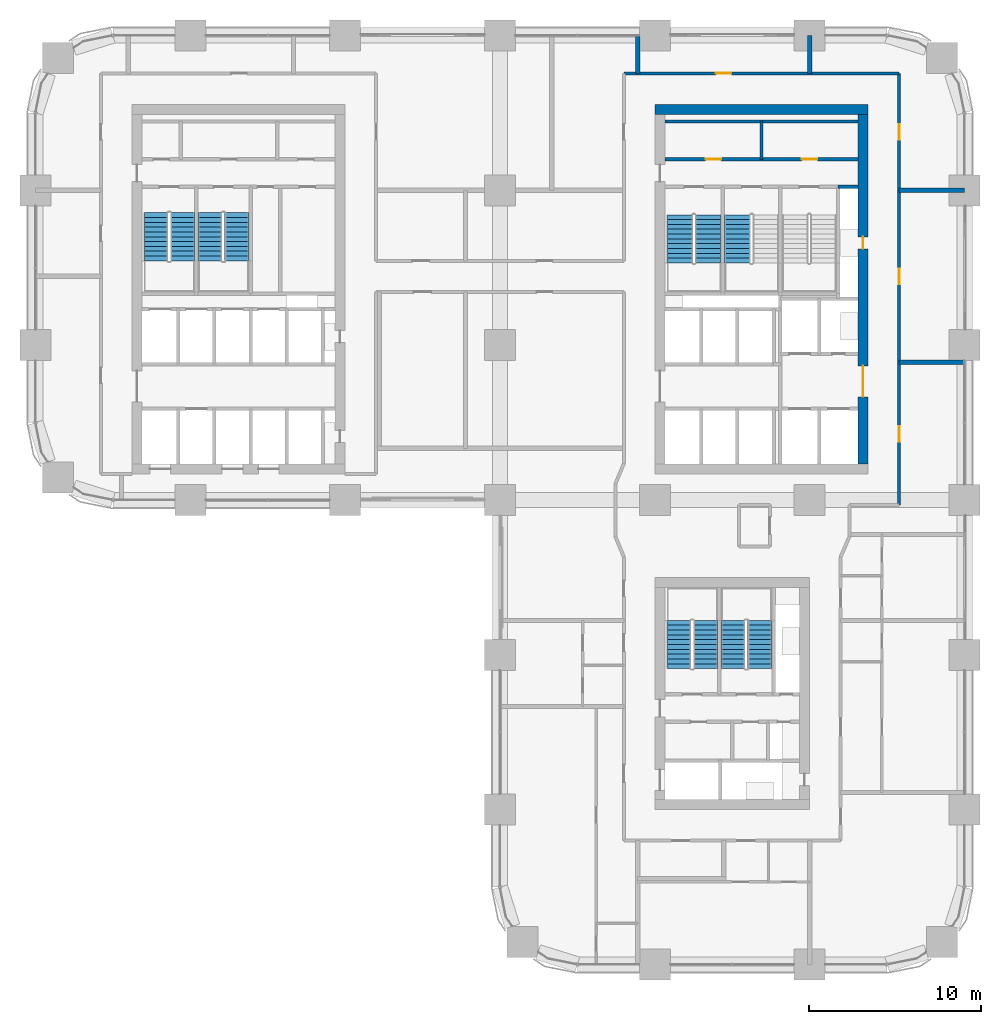
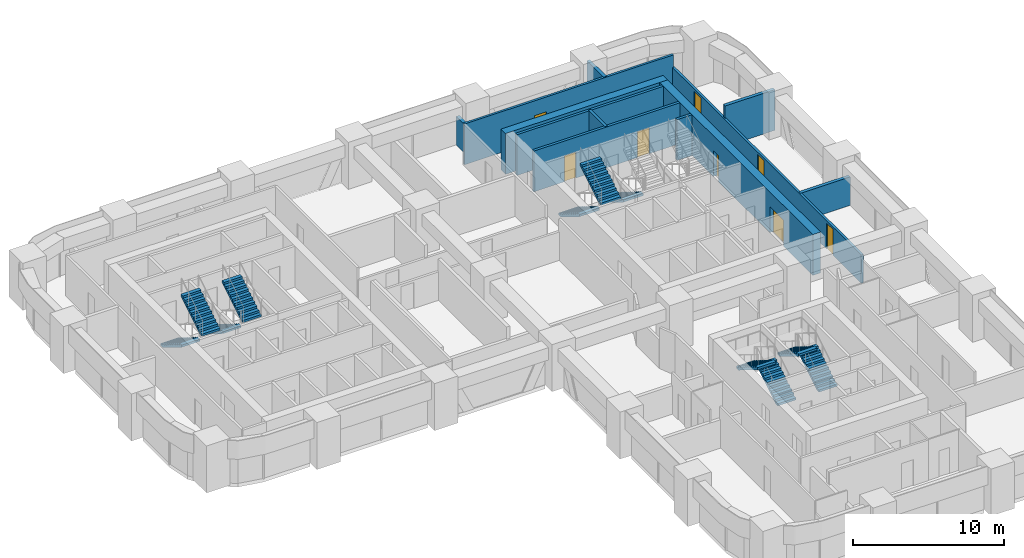
# One storey, part 17 of 20: 12 walls, 11 stair flights, 8 doors, 8 openings, 6 elements without a shape of their own.
"""IFC4 building model written with IfcOpenShell, lengths in metres."""

from ifc_helpers import new_model, si_unit, direction, frame, frame_2d, origin, place, context, subcontext, project, spatial, polyline, rectangle, outline, extrude, material, layer, layer_set, type_object, element, fill, aggregate, save


model = new_model("IFC4")

# Units and contexts
model_context = context("Model", 3, precision=1e-05, world=origin(), true_north=direction((0.0, 1.0)))
body_context = subcontext(model_context, "Body", "Model", "MODEL_VIEW")
ifc_project = project(units=[si_unit("LENGTHUNIT", "METRE"), si_unit("AREAUNIT", "SQUARE_METRE"), si_unit("VOLUMEUNIT", "CUBIC_METRE"), si_unit("PLANEANGLEUNIT", "RADIAN"), si_unit("MASSUNIT", "GRAM", prefix="KILO")], contexts=[model_context])

# Site, building, storey
site_placement = place(None, origin())
site = spatial("IfcSite", under=ifc_project, at=site_placement, CompositionType="ELEMENT")
building_placement = place(site_placement, origin())
building = spatial("IfcBuilding", under=site, at=building_placement, Name="Tessera Arch", CompositionType="ELEMENT")
storey_placement = place(building_placement, frame((0.0, 0.0, 119.60009765625)))
storey = spatial("IfcBuildingStorey", under=building, at=storey_placement, Name="L28", CompositionType="ELEMENT", Elevation=119.60009765625)

# Wall
ifc_material_1 = material(Name="Gypsum board on steel stud", Category="steel")
ifc_layer_1 = layer(ifc_material_1, 0.125)
ifc_layer_set_1 = layer_set([ifc_layer_1], Name="Core partition 125 EI 60")
wall_type_1 = type_object("IfcWallType", Name="Core partition 125 EI 60", PredefinedType="PARTITIONING", material=ifc_layer_set_1)
wall_1_placement = place(storey_placement, frame((42.199951171875, 46.800048828125, 0.0), z_axis=(0.0, 0.0, 1.0), x_axis=(0.0, 1.0, 0.0)))
element("IfcWall", 1, at=wall_1_placement, inside=storey, type_object=wall_type_1, Name="L28 C1 partition wall 7", PredefinedType="PARTITIONING", context=body_context, shape_type="SweptSolid", body=[
    extrude(rectangle(XDim=2.199951171875, YDim=0.199951171875, at=frame_2d((1.10009765625, 0.0))), origin(), (0.0, 0.0, 1.0), 3.2998046875),
])

# Wall, openings, doors
wall_2_placement = place(storey_placement, frame((36.60009765625, 46.800048828125, 0.0), z_axis=(0.0, 0.0, 1.0), x_axis=(1.0, 0.0, 0.0)))
wall_2 = element("IfcWall", 2, at=wall_2_placement, inside=storey, type_object=wall_type_1, Name="L28 C1 partition wall 31", PredefinedType="PARTITIONING", context=body_context, shape_type="SweptSolid", body=[
    extrude(rectangle(XDim=11.199951171875, YDim=0.199951171875, at=frame_2d((5.60009765625, 0.0))), origin(), (0.0, 0.0, 1.0), 3.2998046875),
])
opening_1_placement = place(wall_2_placement, frame((2.35009765625, 0.0, 0.0)))
opening_1 = element("IfcOpeningElement", 3, at=opening_1_placement, cuts=wall_2, Name="Opening L28-C12", PredefinedType="OPENING", context=body_context, shape_type="SweptSolid", body=[
    extrude(rectangle(XDim=0.89990234375, YDim=2.10009765625, at=frame_2d((0.449951171875, 1.050048828125))), frame((0.0, 0.10986328125, 0.0), z_axis=(0.0, -1.0, 0.0), x_axis=(1.0, 0.0, 0.0)), (0.0, 0.0, 1.0), 0.219970703125),
])
opening_2_placement = place(wall_2_placement, frame((7.949951171875, 0.0, 0.0)))
opening_2 = element("IfcOpeningElement", 4, at=opening_2_placement, cuts=wall_2, Name="Opening L28-C13", PredefinedType="OPENING", context=body_context, shape_type="SweptSolid", body=[
    extrude(rectangle(XDim=0.89990234375, YDim=2.10009765625, at=frame_2d((0.449951171875, 1.050048828125))), frame((0.0, 0.10986328125, 0.0), z_axis=(0.0, -1.0, 0.0), x_axis=(1.0, 0.0, 0.0)), (0.0, 0.0, 1.0), 0.219970703125),
])
ifc_material_2 = material(Name="Steel door leaf", Category="steel")
door_type_1 = type_object("IfcDoorType", Name="Store door FD30S 900 x 2100", OperationType="SINGLE_SWING_LEFT", PredefinedType="DOOR", material=ifc_material_2)
door_1_placement = place(opening_1_placement, origin())
door_1 = element("IfcDoor", 5, at=door_1_placement, inside=storey, type_object=door_type_1, Name="L28 C1 door 12 C12 type D09", OperationType="SINGLE_SWING_LEFT", OverallHeight=2.10009765625, OverallWidth=0.89990234375, PredefinedType="DOOR", context=body_context, shape_type="SweptSolid", body=[
    extrude(rectangle(XDim=0.89990234375, YDim=2.10009765625, at=frame_2d((0.449951171875, 1.050048828125))), frame((0.0, 0.02490234375, 0.0), z_axis=(0.0, -1.0, 0.0), x_axis=(1.0, 0.0, 0.0)), (0.0, 0.0, 1.0), 0.050048828125),
])
fill(opening_1, door_1)
door_2_placement = place(opening_2_placement, origin())
door_2 = element("IfcDoor", 6, at=door_2_placement, inside=storey, type_object=door_type_1, Name="L28 C1 door 13 C13 type D09", OperationType="SINGLE_SWING_RIGHT", OverallHeight=2.10009765625, OverallWidth=0.89990234375, PredefinedType="DOOR", context=body_context, shape_type="SweptSolid", body=[
    extrude(rectangle(XDim=0.89990234375, YDim=2.10009765625, at=frame_2d((0.449951171875, 1.050048828125))), frame((0.0, 0.02490234375, 0.0), z_axis=(0.0, -1.0, 0.0), x_axis=(1.0, 0.0, 0.0)), (0.0, 0.0, 1.0), 0.050048828125),
])
fill(opening_2, door_2)

# Walls
wall_3_placement = place(storey_placement, frame((36.60009765625, 49.0, 0.0), z_axis=(0.0, 0.0, 1.0), x_axis=(1.0, 0.0, 0.0)))
element("IfcWall", 7, at=wall_3_placement, inside=storey, type_object=wall_type_1, Name="L28 C1 partition wall 32", PredefinedType="PARTITIONING", context=body_context, shape_type="SweptSolid", body=[
    extrude(rectangle(XDim=11.199951171875, YDim=0.199951171875, at=frame_2d((5.60009765625, 0.0))), origin(), (0.0, 0.0, 1.0), 3.2998046875),
])
ifc_material_3 = material(Name="Concrete C70/85", Category="concrete")
ifc_layer_2 = layer(ifc_material_3, 0.60009765625)
ifc_layer_set_2 = layer_set([ifc_layer_2], Name="Core shell wall 600 C70-85")
wall_type_2 = type_object("IfcWallType", Name="Core shell wall 600 C70-85", PredefinedType="SHEAR", material=ifc_layer_set_2)
wall_4_placement = place(storey_placement, frame((36.0, 49.699951171875, 0.0), z_axis=(0.0, 0.0, 1.0), x_axis=(1.0, 0.0, 0.0)))
element("IfcWall", 8, at=wall_4_placement, inside=storey, type_object=wall_type_2, Name="L28 C1 core wall N", PredefinedType="SHEAR", context=body_context, shape_type="SweptSolid", body=[
    extrude(rectangle(XDim=12.39990234375, YDim=0.60009765625, at=frame_2d((6.199951171875, 0.0))), origin(), (0.0, 0.0, 1.0), 3.2998046875),
])

# Wall, openings, doors
wall_5_placement = place(storey_placement, frame((48.10009765625, 29.10009765625, 0.0), z_axis=(0.0, 0.0, 1.0), x_axis=(0.0, 1.0, 0.0)))
wall_5 = element("IfcWall", 9, at=wall_5_placement, inside=storey, type_object=wall_type_2, Name="L28 C1 core wall E", PredefinedType="SHEAR", context=body_context, shape_type="SweptSolid", body=[
    extrude(rectangle(XDim=20.2998046875, YDim=0.60009765625, at=frame_2d((10.14990234375, 0.0))), origin(), (0.0, 0.0, 1.0), 3.2998046875),
])
opening_3_placement = place(wall_5_placement, frame((12.5, 0.0, 0.0)))
opening_3 = element("IfcOpeningElement", 10, at=opening_3_placement, cuts=wall_5, Name="Opening L28-C08", PredefinedType="OPENING", context=body_context, shape_type="SweptSolid", body=[
    extrude(rectangle(XDim=0.699951171875, YDim=2.10009765625, at=frame_2d((0.35009765625, 1.050048828125))), frame((0.0, 0.31005859375, 0.0), z_axis=(0.0, -1.0, 0.0), x_axis=(1.0, 0.0, 0.0)), (0.0, 0.0, 1.0), 0.6201171875),
])
opening_4_placement = place(wall_5_placement, frame((3.89990234375, 0.0, 0.0)))
opening_4 = element("IfcOpeningElement", 11, at=opening_4_placement, cuts=wall_5, Name="Opening L28-C09", PredefinedType="OPENING", context=body_context, shape_type="SweptSolid", body=[
    extrude(rectangle(XDim=1.800048828125, YDim=2.10009765625, at=frame_2d((0.89990234375, 1.050048828125))), frame((0.0, 0.31005859375, 0.0), z_axis=(0.0, -1.0, 0.0), x_axis=(1.0, 0.0, 0.0)), (0.0, 0.0, 1.0), 0.6201171875),
])
ifc_material_4 = material(Name="Glazed steel door leaf", Category="steel")
door_type_2 = type_object("IfcDoorType", Name="Lobby double door FD60 1800 x 2100", OperationType="DOUBLE_DOOR_SINGLE_SWING", PredefinedType="DOOR", material=ifc_material_4)
door_3_placement = place(opening_4_placement, origin())
door_3 = element("IfcDoor", 12, at=door_3_placement, inside=storey, type_object=door_type_2, Name="L28 C1 door 9 C09 type D19", OperationType="DOUBLE_DOOR_SINGLE_SWING", OverallHeight=2.10009765625, OverallWidth=1.800048828125, PredefinedType="DOOR", context=body_context, shape_type="SweptSolid", body=[
    extrude(rectangle(XDim=1.800048828125, YDim=2.10009765625, at=frame_2d((0.89990234375, 1.050048828125))), frame((0.0, 0.02490234375, 0.0), z_axis=(0.0, -1.0, 0.0), x_axis=(1.0, 0.0, 0.0)), (0.0, 0.0, 1.0), 0.050048828125),
])
fill(opening_4, door_3)
ifc_material_5 = material(Name="Steel door leaf", Category="steel")
door_type_3 = type_object("IfcDoorType", Name="Service shaft door FD60 700 x 2100", OperationType="SINGLE_SWING_LEFT", PredefinedType="DOOR", material=ifc_material_5)
door_4_placement = place(opening_3_placement, origin())
door_4 = element("IfcDoor", 13, at=door_4_placement, inside=storey, type_object=door_type_3, Name="L28 C1 door 8 C08 type D07", OperationType="SINGLE_SWING_RIGHT", OverallHeight=2.10009765625, OverallWidth=0.699951171875, PredefinedType="DOOR", context=body_context, shape_type="SweptSolid", body=[
    extrude(rectangle(XDim=0.699951171875, YDim=2.10009765625, at=frame_2d((0.35009765625, 1.050048828125))), frame((0.0, 0.02490234375, 0.0), z_axis=(0.0, -1.0, 0.0), x_axis=(1.0, 0.0, 0.0)), (0.0, 0.0, 1.0), 0.050048828125),
])
fill(opening_3, door_4)

# Wall, opening, door
ifc_material_6 = material(Name="Gypsum board on deep steel stud with mineral wool", Category="steel")
ifc_layer_3 = layer(ifc_material_6, 0.175048828125)
ifc_layer_set_3 = layer_set([ifc_layer_3], Name="Corridor wall 175 EI 60")
wall_type_3 = type_object("IfcWallType", Name="Corridor wall 175 EI 60", PredefinedType="PARTITIONING", material=ifc_layer_set_3)
wall_6_placement = place(storey_placement, frame((34.199951171875, 51.800048828125, 0.0), z_axis=(0.0, 0.0, 1.0), x_axis=(1.0, 0.0, 0.0)))
wall_6 = element("IfcWall", 14, at=wall_6_placement, inside=storey, type_object=wall_type_3, Name="L28 partition 10", PredefinedType="PARTITIONING", context=body_context, shape_type="SweptSolid", body=[
    extrude(rectangle(XDim=16.0, YDim=0.175048828125, at=frame_2d((8.0, 0.0))), origin(), (0.0, 0.0, 1.0), 3.2998046875),
])
opening_5_placement = place(wall_6_placement, frame((5.35009765625, 0.0, 0.0)))
opening_5 = element("IfcOpeningElement", 15, at=opening_5_placement, cuts=wall_6, Name="Opening L28-D033", PredefinedType="OPENING", context=body_context, shape_type="SweptSolid", body=[
    extrude(rectangle(XDim=0.89990234375, YDim=2.10009765625, at=frame_2d((0.449951171875, 1.050048828125))), frame((0.0, 0.097412109375, 0.0), z_axis=(0.0, -1.0, 0.0), x_axis=(1.0, 0.0, 0.0)), (0.0, 0.0, 1.0), 0.195068359375),
])
ifc_material_7 = material(Name="Timber door leaf", Category="wood")
door_type_4 = type_object("IfcDoorType", Name="Room door 900 x 2100", OperationType="SINGLE_SWING_LEFT", PredefinedType="DOOR", material=ifc_material_7)
door_5_placement = place(opening_5_placement, origin())
door_5 = element("IfcDoor", 16, at=door_5_placement, inside=storey, type_object=door_type_4, Name="L28 door D033 type D01", OperationType="SINGLE_SWING_RIGHT", OverallHeight=2.10009765625, OverallWidth=0.89990234375, PredefinedType="DOOR", context=body_context, shape_type="SweptSolid", body=[
    extrude(rectangle(XDim=0.89990234375, YDim=2.10009765625, at=frame_2d((0.449951171875, 1.050048828125))), frame((0.0, 0.02490234375, 0.0), z_axis=(0.0, -1.0, 0.0), x_axis=(1.0, 0.0, 0.0)), (0.0, 0.0, 1.0), 0.050048828125),
])
fill(opening_5, door_5)

# Wall, openings, doors
wall_7_placement = place(storey_placement, frame((50.199951171875, 26.699951171875, 0.0), z_axis=(0.0, 0.0, 1.0), x_axis=(0.0, 1.0, 0.0)))
wall_7 = element("IfcWall", 17, at=wall_7_placement, inside=storey, type_object=wall_type_3, Name="L28 partition 22", PredefinedType="PARTITIONING", context=body_context, shape_type="SweptSolid", body=[
    extrude(rectangle(XDim=25.10009765625, YDim=0.175048828125, at=frame_2d((12.550048828125, 0.0))), origin(), (0.0, 0.0, 1.0), 2.2998046875),
])
opening_6_placement = place(wall_7_placement, frame((3.699951171875, 0.0, 0.0)))
opening_6 = element("IfcOpeningElement", 18, at=opening_6_placement, cuts=wall_7, Name="Opening L28-D020", PredefinedType="OPENING", context=body_context, shape_type="SweptSolid", body=[
    extrude(rectangle(XDim=0.89990234375, YDim=2.10009765625, at=frame_2d((0.449951171875, 1.050048828125))), frame((0.0, 0.097412109375, 0.0), z_axis=(0.0, -1.0, 0.0), x_axis=(1.0, 0.0, 0.0)), (0.0, 0.0, 1.0), 0.195068359375),
])
opening_7_placement = place(wall_7_placement, frame((12.85009765625, 0.0, 0.0)))
opening_7 = element("IfcOpeningElement", 19, at=opening_7_placement, cuts=wall_7, Name="Opening L28-D024", PredefinedType="OPENING", context=body_context, shape_type="SweptSolid", body=[
    extrude(rectangle(XDim=0.89990234375, YDim=2.10009765625, at=frame_2d((0.449951171875, 1.050048828125))), frame((0.0, 0.097412109375, 0.0), z_axis=(0.0, -1.0, 0.0), x_axis=(1.0, 0.0, 0.0)), (0.0, 0.0, 1.0), 0.195068359375),
])
opening_8_placement = place(wall_7_placement, frame((21.25, 0.0, 0.0)))
opening_8 = element("IfcOpeningElement", 20, at=opening_8_placement, cuts=wall_7, Name="Opening L28-D031", PredefinedType="OPENING", context=body_context, shape_type="SweptSolid", body=[
    extrude(rectangle(XDim=0.89990234375, YDim=2.10009765625, at=frame_2d((0.449951171875, 1.050048828125))), frame((0.0, 0.097412109375, 0.0), z_axis=(0.0, -1.0, 0.0), x_axis=(1.0, 0.0, 0.0)), (0.0, 0.0, 1.0), 0.195068359375),
])
door_6_placement = place(opening_6_placement, origin())
door_6 = element("IfcDoor", 21, at=door_6_placement, inside=storey, type_object=door_type_4, Name="L28 door D020 type D01", OperationType="SINGLE_SWING_RIGHT", OverallHeight=2.10009765625, OverallWidth=0.89990234375, PredefinedType="DOOR", context=body_context, shape_type="SweptSolid", body=[
    extrude(rectangle(XDim=0.89990234375, YDim=2.10009765625, at=frame_2d((0.449951171875, 1.050048828125))), frame((0.0, 0.02490234375, 0.0), z_axis=(0.0, -1.0, 0.0), x_axis=(1.0, 0.0, 0.0)), (0.0, 0.0, 1.0), 0.050048828125),
])
fill(opening_6, door_6)
door_7_placement = place(opening_7_placement, origin())
door_7 = element("IfcDoor", 22, at=door_7_placement, inside=storey, type_object=door_type_4, Name="L28 door D024 type D01", OperationType="SINGLE_SWING_RIGHT", OverallHeight=2.10009765625, OverallWidth=0.89990234375, PredefinedType="DOOR", context=body_context, shape_type="SweptSolid", body=[
    extrude(rectangle(XDim=0.89990234375, YDim=2.10009765625, at=frame_2d((0.449951171875, 1.050048828125))), frame((0.0, 0.02490234375, 0.0), z_axis=(0.0, -1.0, 0.0), x_axis=(1.0, 0.0, 0.0)), (0.0, 0.0, 1.0), 0.050048828125),
])
fill(opening_7, door_7)
door_8_placement = place(opening_8_placement, origin())
door_8 = element("IfcDoor", 23, at=door_8_placement, inside=storey, type_object=door_type_4, Name="L28 door D031 type D01", OperationType="SINGLE_SWING_LEFT", OverallHeight=2.10009765625, OverallWidth=0.89990234375, PredefinedType="DOOR", context=body_context, shape_type="SweptSolid", body=[
    extrude(rectangle(XDim=0.89990234375, YDim=2.10009765625, at=frame_2d((0.449951171875, 1.050048828125))), frame((0.0, 0.02490234375, 0.0), z_axis=(0.0, -1.0, 0.0), x_axis=(1.0, 0.0, 0.0)), (0.0, 0.0, 1.0), 0.050048828125),
])
fill(opening_8, door_8)

# Walls
ifc_material_8 = material(Name="Double gypsum board on twin steel stud with acoustic mineral wool", Category="steel")
ifc_layer_4 = layer(ifc_material_8, 0.25)
ifc_layer_set_4 = layer_set([ifc_layer_4], Name="Party wall 250 EI 60")
wall_type_4 = type_object("IfcWallType", Name="Party wall 250 EI 60", PredefinedType="PARTITIONING", material=ifc_layer_set_4)
wall_8_placement = place(storey_placement, frame((50.199951171875, 35.0, 0.0), z_axis=(0.0, 0.0, 1.0), x_axis=(1.0, 0.0, 0.0)))
element("IfcWall", 24, at=wall_8_placement, inside=storey, type_object=wall_type_4, Name="L28 partition 35", PredefinedType="PARTITIONING", context=body_context, shape_type="SweptSolid", body=[
    extrude(rectangle(XDim=3.800048828125, YDim=0.25, at=frame_2d((1.89990234375, 0.0))), origin(), (0.0, 0.0, 1.0), 2.2998046875),
])
wall_9_placement = place(storey_placement, frame((50.199951171875, 45.0, 0.0), z_axis=(0.0, 0.0, 1.0), x_axis=(1.0, 0.0, 0.0)))
element("IfcWall", 25, at=wall_9_placement, inside=storey, type_object=wall_type_4, Name="L28 partition 39", PredefinedType="PARTITIONING", context=body_context, shape_type="SweptSolid", body=[
    extrude(rectangle(XDim=3.800048828125, YDim=0.25, at=frame_2d((1.89990234375, 0.0))), origin(), (0.0, 0.0, 1.0), 3.2998046875),
])
wall_10_placement = place(storey_placement, frame((35.0, 51.800048828125, 0.0), z_axis=(0.0, 0.0, 1.0), x_axis=(0.0, 1.0, 0.0)))
element("IfcWall", 26, at=wall_10_placement, inside=storey, type_object=wall_type_4, Name="L28 partition 48", PredefinedType="PARTITIONING", context=body_context, shape_type="SweptSolid", body=[
    extrude(rectangle(XDim=2.199951171875, YDim=0.25, at=frame_2d((1.10009765625, 0.0))), origin(), (0.0, 0.0, 1.0), 2.2998046875),
])
wall_11_placement = place(storey_placement, frame((45.0, 51.800048828125, 0.0), z_axis=(0.0, 0.0, 1.0), x_axis=(0.0, 1.0, 0.0)))
element("IfcWall", 27, at=wall_11_placement, inside=storey, type_object=wall_type_4, Name="L28 partition 51", PredefinedType="PARTITIONING", context=body_context, shape_type="SweptSolid", body=[
    extrude(rectangle(XDim=2.199951171875, YDim=0.25, at=frame_2d((1.10009765625, 0.0))), origin(), (0.0, 0.0, 1.0), 3.2998046875),
])
ifc_material_9 = material(Name="Concrete C40/50", Category="concrete")
ifc_layer_5 = layer(ifc_material_9, 0.199951171875)
ifc_layer_set_5 = layer_set([ifc_layer_5], Name="Shaft wall 200 EI 120")
wall_type_5 = type_object("IfcWallType", Name="Shaft wall 200 EI 120", PredefinedType="SOLIDWALL", material=ifc_layer_set_5)
wall_12_placement = place(storey_placement, frame((46.64990234375, 45.199951171875, 0.0), z_axis=(0.0, 0.0, 1.0), x_axis=(1.0, 0.0, 0.0)))
element("IfcWall", 28, at=wall_12_placement, inside=storey, type_object=wall_type_5, Name="L28 C1 shaft wall 29", PredefinedType="SOLIDWALL", context=body_context, shape_type="SweptSolid", body=[
    extrude(rectangle(XDim=1.150146484375, YDim=0.199951171875, at=frame_2d((0.5751953125, 0.0))), origin(), (0.0, 0.0, 1.0), 3.2998046875),
])

# Stair, stair flights
ifc_material_10 = material(Name="Concrete C40/50", Category="concrete")
stair_type_1 = type_object("IfcStairType", Name="Dogleg stair 1400", PredefinedType="HALF_TURN_STAIR", material=ifc_material_10)
stair_1_placement = place(storey_placement, origin())
stair_1 = element("IfcStair", 29, at=stair_1_placement, inside=storey, type_object=stair_type_1, Name="L28 S2a", PredefinedType="HALF_TURN_STAIR")
ifc_material_11 = material(Name="Concrete C40/50", Category="concrete")
stair_flight_type_1 = type_object("IfcStairFlightType", Name="Stair flight 1400", PredefinedType="STRAIGHT", material=ifc_material_11)
stair_flight_1_placement = place(storey_placement, frame((7.0, 43.699951171875, 0.0), z_axis=(0.0, 0.0, 1.0), x_axis=(0.0, -1.0, 0.0)))
stair_flight_1 = element("IfcStairFlight", 30, at=stair_flight_1_placement, type_object=stair_flight_type_1, Name="S2a flight 1", NumberOfRisers=11, NumberOfTreads=10, PredefinedType="STRAIGHT", RiserHeight=0.172727273, TreadLength=0.28, context=body_context, shape_type="SweptSolid", body=[
    extrude(outline(polyline([(0.0, 0.0), (0.0, 0.172607421875), (0.280029296875, 0.172607421875), (0.280029296875, 0.345458984375), (0.56005859375, 0.345458984375), (0.56005859375, 0.51806640625), (0.840087890625, 0.51806640625), (0.840087890625, 0.69091796875), (1.1201171875, 0.69091796875), (1.1201171875, 0.863525390625), (1.39990234375, 0.863525390625), (1.39990234375, 1.036376953125), (1.679931640625, 1.036376953125), (1.679931640625, 1.208984375), (1.9599609375, 1.208984375), (1.9599609375, 1.3818359375), (2.239990234375, 1.3818359375), (2.239990234375, 1.554443359375), (2.52001953125, 1.554443359375), (2.52001953125, 1.727294921875), (2.800048828125, 1.727294921875), (2.800048828125, 1.89990234375), (2.800048828125, 1.551025390625), (0.285400390625, 0.0), (0.0, 0.0)])), frame((0.0, 0.699951171875, 0.0), z_axis=(0.0, -1.0, 0.0), x_axis=(1.0, 0.0, 0.0)), (0.0, 0.0, 1.0), 1.39990234375),
])
stair_flight_2_placement = place(storey_placement, frame((8.550048828125, 40.89990234375, 1.89990234375), z_axis=(0.0, 0.0, 1.0), x_axis=(0.0, 1.0, 0.0)))
stair_flight_2 = element("IfcStairFlight", 31, at=stair_flight_2_placement, type_object=stair_flight_type_1, Name="S2a flight 2", NumberOfRisers=11, NumberOfTreads=10, PredefinedType="STRAIGHT", RiserHeight=0.172727273, TreadLength=0.28, context=body_context, shape_type="SweptSolid", body=[
    extrude(outline(polyline([(0.0, 0.0), (0.0, 0.172607421875), (0.280029296875, 0.172607421875), (0.280029296875, 0.345458984375), (0.56005859375, 0.345458984375), (0.56005859375, 0.51806640625), (0.840087890625, 0.51806640625), (0.840087890625, 0.69091796875), (1.1201171875, 0.69091796875), (1.1201171875, 0.863525390625), (1.39990234375, 0.863525390625), (1.39990234375, 1.036376953125), (1.679931640625, 1.036376953125), (1.679931640625, 1.208984375), (1.9599609375, 1.208984375), (1.9599609375, 1.3818359375), (2.239990234375, 1.3818359375), (2.239990234375, 1.554443359375), (2.52001953125, 1.554443359375), (2.52001953125, 1.727294921875), (2.800048828125, 1.727294921875), (2.800048828125, 1.89990234375), (2.800048828125, 1.551025390625), (0.285400390625, 0.0), (0.0, 0.0)])), frame((0.0, 0.699951171875, 0.0), z_axis=(0.0, -1.0, 0.0), x_axis=(1.0, 0.0, 0.0)), (0.0, 0.0, 1.0), 1.39990234375),
])
aggregate(stair_1, [stair_flight_1, stair_flight_2])

stair_2_placement = place(storey_placement, origin())
stair_2 = element("IfcStair", 32, at=stair_2_placement, inside=storey, type_object=stair_type_1, Name="L28 S2b", PredefinedType="HALF_TURN_STAIR")
stair_flight_3_placement = place(storey_placement, frame((10.14990234375, 43.699951171875, 0.0), z_axis=(0.0, 0.0, 1.0), x_axis=(0.0, -1.0, 0.0)))
stair_flight_3 = element("IfcStairFlight", 33, at=stair_flight_3_placement, type_object=stair_flight_type_1, Name="S2b flight 1", NumberOfRisers=11, NumberOfTreads=10, PredefinedType="STRAIGHT", RiserHeight=0.172727273, TreadLength=0.28, context=body_context, shape_type="SweptSolid", body=[
    extrude(outline(polyline([(0.0, 0.0), (0.0, 0.172607421875), (0.280029296875, 0.172607421875), (0.280029296875, 0.345458984375), (0.56005859375, 0.345458984375), (0.56005859375, 0.51806640625), (0.840087890625, 0.51806640625), (0.840087890625, 0.69091796875), (1.1201171875, 0.69091796875), (1.1201171875, 0.863525390625), (1.39990234375, 0.863525390625), (1.39990234375, 1.036376953125), (1.679931640625, 1.036376953125), (1.679931640625, 1.208984375), (1.9599609375, 1.208984375), (1.9599609375, 1.3818359375), (2.239990234375, 1.3818359375), (2.239990234375, 1.554443359375), (2.52001953125, 1.554443359375), (2.52001953125, 1.727294921875), (2.800048828125, 1.727294921875), (2.800048828125, 1.89990234375), (2.800048828125, 1.551025390625), (0.285400390625, 0.0), (0.0, 0.0)])), frame((0.0, 0.699951171875, 0.0), z_axis=(0.0, -1.0, 0.0), x_axis=(1.0, 0.0, 0.0)), (0.0, 0.0, 1.0), 1.39990234375),
])
stair_flight_4_placement = place(storey_placement, frame((11.699951171875, 40.89990234375, 1.89990234375), z_axis=(0.0, 0.0, 1.0), x_axis=(0.0, 1.0, 0.0)))
stair_flight_4 = element("IfcStairFlight", 34, at=stair_flight_4_placement, type_object=stair_flight_type_1, Name="S2b flight 2", NumberOfRisers=11, NumberOfTreads=10, PredefinedType="STRAIGHT", RiserHeight=0.172727273, TreadLength=0.28, context=body_context, shape_type="SweptSolid", body=[
    extrude(outline(polyline([(0.0, 0.0), (0.0, 0.172607421875), (0.280029296875, 0.172607421875), (0.280029296875, 0.345458984375), (0.56005859375, 0.345458984375), (0.56005859375, 0.51806640625), (0.840087890625, 0.51806640625), (0.840087890625, 0.69091796875), (1.1201171875, 0.69091796875), (1.1201171875, 0.863525390625), (1.39990234375, 0.863525390625), (1.39990234375, 1.036376953125), (1.679931640625, 1.036376953125), (1.679931640625, 1.208984375), (1.9599609375, 1.208984375), (1.9599609375, 1.3818359375), (2.239990234375, 1.3818359375), (2.239990234375, 1.554443359375), (2.52001953125, 1.554443359375), (2.52001953125, 1.727294921875), (2.800048828125, 1.727294921875), (2.800048828125, 1.89990234375), (2.800048828125, 1.551025390625), (0.285400390625, 0.0), (0.0, 0.0)])), frame((0.0, 0.699951171875, 0.0), z_axis=(0.0, -1.0, 0.0), x_axis=(1.0, 0.0, 0.0)), (0.0, 0.0, 1.0), 1.39990234375),
])
aggregate(stair_2, [stair_flight_3, stair_flight_4])

stair_3_placement = place(storey_placement, origin())
stair_3 = element("IfcStair", 35, at=stair_3_placement, inside=storey, type_object=stair_type_1, Name="L28 S3a", PredefinedType="HALF_TURN_STAIR")
stair_flight_5_placement = place(storey_placement, frame((38.949951171875, 17.199951171875, 0.0), z_axis=(0.0, 0.0, 1.0), x_axis=(0.0, 1.0, 0.0)))
stair_flight_5 = element("IfcStairFlight", 36, at=stair_flight_5_placement, type_object=stair_flight_type_1, Name="S3a flight 1", NumberOfRisers=11, NumberOfTreads=10, PredefinedType="STRAIGHT", RiserHeight=0.172727273, TreadLength=0.28, context=body_context, shape_type="SweptSolid", body=[
    extrude(outline(polyline([(0.0, 0.0), (0.0, 0.172607421875), (0.280029296875, 0.172607421875), (0.280029296875, 0.345458984375), (0.56005859375, 0.345458984375), (0.56005859375, 0.51806640625), (0.840087890625, 0.51806640625), (0.840087890625, 0.69091796875), (1.1201171875, 0.69091796875), (1.1201171875, 0.863525390625), (1.39990234375, 0.863525390625), (1.39990234375, 1.036376953125), (1.679931640625, 1.036376953125), (1.679931640625, 1.208984375), (1.9599609375, 1.208984375), (1.9599609375, 1.3818359375), (2.239990234375, 1.3818359375), (2.239990234375, 1.554443359375), (2.52001953125, 1.554443359375), (2.52001953125, 1.727294921875), (2.800048828125, 1.727294921875), (2.800048828125, 1.89990234375), (2.800048828125, 1.551025390625), (0.285400390625, 0.0), (0.0, 0.0)])), frame((0.0, 0.699951171875, 0.0), z_axis=(0.0, -1.0, 0.0), x_axis=(1.0, 0.0, 0.0)), (0.0, 0.0, 1.0), 1.39990234375),
])
stair_flight_6_placement = place(storey_placement, frame((37.39990234375, 20.0, 1.89990234375), z_axis=(0.0, 0.0, 1.0), x_axis=(0.0, -1.0, 0.0)))
stair_flight_6 = element("IfcStairFlight", 37, at=stair_flight_6_placement, type_object=stair_flight_type_1, Name="S3a flight 2", NumberOfRisers=11, NumberOfTreads=10, PredefinedType="STRAIGHT", RiserHeight=0.172727273, TreadLength=0.28, context=body_context, shape_type="SweptSolid", body=[
    extrude(outline(polyline([(0.0, 0.0), (0.0, 0.172607421875), (0.280029296875, 0.172607421875), (0.280029296875, 0.345458984375), (0.56005859375, 0.345458984375), (0.56005859375, 0.51806640625), (0.840087890625, 0.51806640625), (0.840087890625, 0.69091796875), (1.1201171875, 0.69091796875), (1.1201171875, 0.863525390625), (1.39990234375, 0.863525390625), (1.39990234375, 1.036376953125), (1.679931640625, 1.036376953125), (1.679931640625, 1.208984375), (1.9599609375, 1.208984375), (1.9599609375, 1.3818359375), (2.239990234375, 1.3818359375), (2.239990234375, 1.554443359375), (2.52001953125, 1.554443359375), (2.52001953125, 1.727294921875), (2.800048828125, 1.727294921875), (2.800048828125, 1.89990234375), (2.800048828125, 1.551025390625), (0.285400390625, 0.0), (0.0, 0.0)])), frame((0.0, 0.699951171875, 0.0), z_axis=(0.0, -1.0, 0.0), x_axis=(1.0, 0.0, 0.0)), (0.0, 0.0, 1.0), 1.39990234375),
])
aggregate(stair_3, [stair_flight_5, stair_flight_6])

stair_4_placement = place(storey_placement, origin())
stair_4 = element("IfcStair", 38, at=stair_4_placement, inside=storey, type_object=stair_type_1, Name="L28 S3b", PredefinedType="HALF_TURN_STAIR")
stair_flight_7_placement = place(storey_placement, frame((42.10009765625, 17.199951171875, 0.0), z_axis=(0.0, 0.0, 1.0), x_axis=(0.0, 1.0, 0.0)))
stair_flight_7 = element("IfcStairFlight", 39, at=stair_flight_7_placement, type_object=stair_flight_type_1, Name="S3b flight 1", NumberOfRisers=11, NumberOfTreads=10, PredefinedType="STRAIGHT", RiserHeight=0.172727273, TreadLength=0.28, context=body_context, shape_type="SweptSolid", body=[
    extrude(outline(polyline([(0.0, 0.0), (0.0, 0.172607421875), (0.280029296875, 0.172607421875), (0.280029296875, 0.345458984375), (0.56005859375, 0.345458984375), (0.56005859375, 0.51806640625), (0.840087890625, 0.51806640625), (0.840087890625, 0.69091796875), (1.1201171875, 0.69091796875), (1.1201171875, 0.863525390625), (1.39990234375, 0.863525390625), (1.39990234375, 1.036376953125), (1.679931640625, 1.036376953125), (1.679931640625, 1.208984375), (1.9599609375, 1.208984375), (1.9599609375, 1.3818359375), (2.239990234375, 1.3818359375), (2.239990234375, 1.554443359375), (2.52001953125, 1.554443359375), (2.52001953125, 1.727294921875), (2.800048828125, 1.727294921875), (2.800048828125, 1.89990234375), (2.800048828125, 1.551025390625), (0.285400390625, 0.0), (0.0, 0.0)])), frame((0.0, 0.699951171875, 0.0), z_axis=(0.0, -1.0, 0.0), x_axis=(1.0, 0.0, 0.0)), (0.0, 0.0, 1.0), 1.39990234375),
])
stair_flight_8_placement = place(storey_placement, frame((40.550048828125, 20.0, 1.89990234375), z_axis=(0.0, 0.0, 1.0), x_axis=(0.0, -1.0, 0.0)))
stair_flight_8 = element("IfcStairFlight", 40, at=stair_flight_8_placement, type_object=stair_flight_type_1, Name="S3b flight 2", NumberOfRisers=11, NumberOfTreads=10, PredefinedType="STRAIGHT", RiserHeight=0.172727273, TreadLength=0.28, context=body_context, shape_type="SweptSolid", body=[
    extrude(outline(polyline([(0.0, 0.0), (0.0, 0.172607421875), (0.280029296875, 0.172607421875), (0.280029296875, 0.345458984375), (0.56005859375, 0.345458984375), (0.56005859375, 0.51806640625), (0.840087890625, 0.51806640625), (0.840087890625, 0.69091796875), (1.1201171875, 0.69091796875), (1.1201171875, 0.863525390625), (1.39990234375, 0.863525390625), (1.39990234375, 1.036376953125), (1.679931640625, 1.036376953125), (1.679931640625, 1.208984375), (1.9599609375, 1.208984375), (1.9599609375, 1.3818359375), (2.239990234375, 1.3818359375), (2.239990234375, 1.554443359375), (2.52001953125, 1.554443359375), (2.52001953125, 1.727294921875), (2.800048828125, 1.727294921875), (2.800048828125, 1.89990234375), (2.800048828125, 1.551025390625), (0.285400390625, 0.0), (0.0, 0.0)])), frame((0.0, 0.699951171875, 0.0), z_axis=(0.0, -1.0, 0.0), x_axis=(1.0, 0.0, 0.0)), (0.0, 0.0, 1.0), 1.39990234375),
])
aggregate(stair_4, [stair_flight_7, stair_flight_8])

ifc_material_12 = material(Name="Concrete C40/50", Category="concrete")
stair_type_2 = type_object("IfcStairType", Name="Dogleg stair 1520", PredefinedType="HALF_TURN_STAIR", material=ifc_material_12)
stair_5_placement = place(storey_placement, origin())
stair_5 = element("IfcStair", 41, at=stair_5_placement, inside=storey, type_object=stair_type_2, Name="L28 S1a", PredefinedType="HALF_TURN_STAIR")
ifc_material_13 = material(Name="Concrete C40/50", Category="concrete")
stair_flight_type_2 = type_object("IfcStairFlightType", Name="Stair flight 1520", PredefinedType="STRAIGHT", material=ifc_material_13)
stair_flight_9_placement = place(storey_placement, frame((37.4599609375, 43.580078125, 0.0), z_axis=(0.0, 0.0, 1.0), x_axis=(0.0, -1.0, 0.0)))
stair_flight_9 = element("IfcStairFlight", 42, at=stair_flight_9_placement, type_object=stair_flight_type_2, Name="S1a flight 1", NumberOfRisers=11, NumberOfTreads=10, PredefinedType="STRAIGHT", RiserHeight=0.172727273, TreadLength=0.28, context=body_context, shape_type="SweptSolid", body=[
    extrude(outline(polyline([(0.0, 0.0), (0.0, 0.172607421875), (0.280029296875, 0.172607421875), (0.280029296875, 0.345458984375), (0.56005859375, 0.345458984375), (0.56005859375, 0.51806640625), (0.840087890625, 0.51806640625), (0.840087890625, 0.69091796875), (1.1201171875, 0.69091796875), (1.1201171875, 0.863525390625), (1.39990234375, 0.863525390625), (1.39990234375, 1.036376953125), (1.679931640625, 1.036376953125), (1.679931640625, 1.208984375), (1.9599609375, 1.208984375), (1.9599609375, 1.3818359375), (2.239990234375, 1.3818359375), (2.239990234375, 1.554443359375), (2.52001953125, 1.554443359375), (2.52001953125, 1.727294921875), (2.800048828125, 1.727294921875), (2.800048828125, 1.89990234375), (2.800048828125, 1.551025390625), (0.285400390625, 0.0), (0.0, 0.0)])), frame((0.0, 0.760009765625, 0.0), z_axis=(0.0, -1.0, 0.0), x_axis=(1.0, 0.0, 0.0)), (0.0, 0.0, 1.0), 1.52001953125),
])
stair_flight_10_placement = place(storey_placement, frame((39.090087890625, 40.780029296875, 1.89990234375), z_axis=(0.0, 0.0, 1.0), x_axis=(0.0, 1.0, 0.0)))
stair_flight_10 = element("IfcStairFlight", 43, at=stair_flight_10_placement, type_object=stair_flight_type_2, Name="S1a flight 2", NumberOfRisers=11, NumberOfTreads=10, PredefinedType="STRAIGHT", RiserHeight=0.172727273, TreadLength=0.28, context=body_context, shape_type="SweptSolid", body=[
    extrude(outline(polyline([(0.0, 0.0), (0.0, 0.172607421875), (0.280029296875, 0.172607421875), (0.280029296875, 0.345458984375), (0.56005859375, 0.345458984375), (0.56005859375, 0.51806640625), (0.840087890625, 0.51806640625), (0.840087890625, 0.69091796875), (1.1201171875, 0.69091796875), (1.1201171875, 0.863525390625), (1.39990234375, 0.863525390625), (1.39990234375, 1.036376953125), (1.679931640625, 1.036376953125), (1.679931640625, 1.208984375), (1.9599609375, 1.208984375), (1.9599609375, 1.3818359375), (2.239990234375, 1.3818359375), (2.239990234375, 1.554443359375), (2.52001953125, 1.554443359375), (2.52001953125, 1.727294921875), (2.800048828125, 1.727294921875), (2.800048828125, 1.89990234375), (2.800048828125, 1.551025390625), (0.285400390625, 0.0), (0.0, 0.0)])), frame((0.0, 0.760009765625, 0.0), z_axis=(0.0, -1.0, 0.0), x_axis=(1.0, 0.0, 0.0)), (0.0, 0.0, 1.0), 1.52001953125),
])
aggregate(stair_5, [stair_flight_9, stair_flight_10])

# Stair, stair flight
stair_6_placement = place(storey_placement, origin())
stair_6 = element("IfcStair", 44, at=stair_6_placement, inside=storey, type_object=stair_type_2, Name="L28 S1b", PredefinedType="HALF_TURN_STAIR")
stair_flight_11_placement = place(storey_placement, frame((40.81005859375, 43.580078125, 0.0), z_axis=(0.0, 0.0, 1.0), x_axis=(0.0, -1.0, 0.0)))
stair_flight_11 = element("IfcStairFlight", 45, at=stair_flight_11_placement, type_object=stair_flight_type_2, Name="S1b flight 1", NumberOfRisers=11, NumberOfTreads=10, PredefinedType="STRAIGHT", RiserHeight=0.172727273, TreadLength=0.28, context=body_context, shape_type="SweptSolid", body=[
    extrude(outline(polyline([(0.0, 0.0), (0.0, 0.172607421875), (0.280029296875, 0.172607421875), (0.280029296875, 0.345458984375), (0.56005859375, 0.345458984375), (0.56005859375, 0.51806640625), (0.840087890625, 0.51806640625), (0.840087890625, 0.69091796875), (1.1201171875, 0.69091796875), (1.1201171875, 0.863525390625), (1.39990234375, 0.863525390625), (1.39990234375, 1.036376953125), (1.679931640625, 1.036376953125), (1.679931640625, 1.208984375), (1.9599609375, 1.208984375), (1.9599609375, 1.3818359375), (2.239990234375, 1.3818359375), (2.239990234375, 1.554443359375), (2.52001953125, 1.554443359375), (2.52001953125, 1.727294921875), (2.800048828125, 1.727294921875), (2.800048828125, 1.89990234375), (2.800048828125, 1.551025390625), (0.285400390625, 0.0), (0.0, 0.0)])), frame((0.0, 0.760009765625, 0.0), z_axis=(0.0, -1.0, 0.0), x_axis=(1.0, 0.0, 0.0)), (0.0, 0.0, 1.0), 1.52001953125),
])
aggregate(stair_6, [stair_flight_11])

save(model, "model.ifc")
